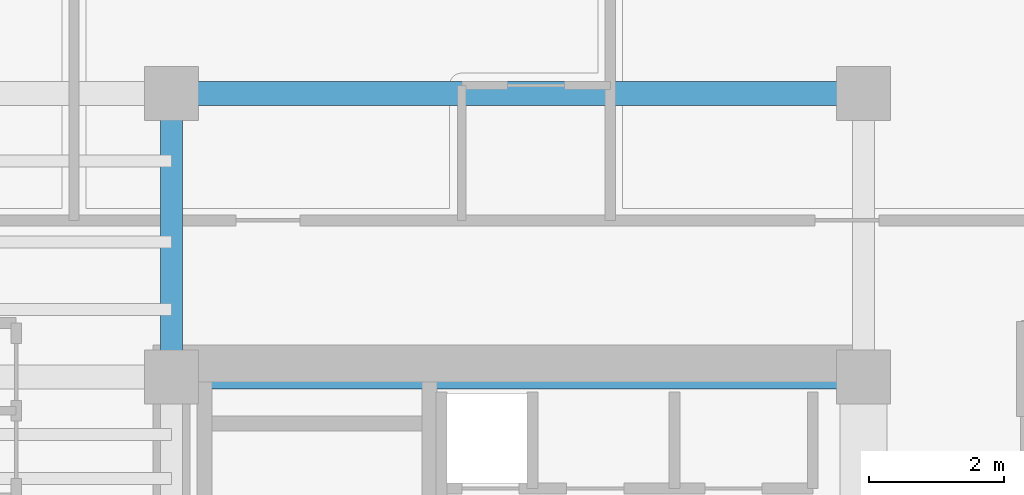
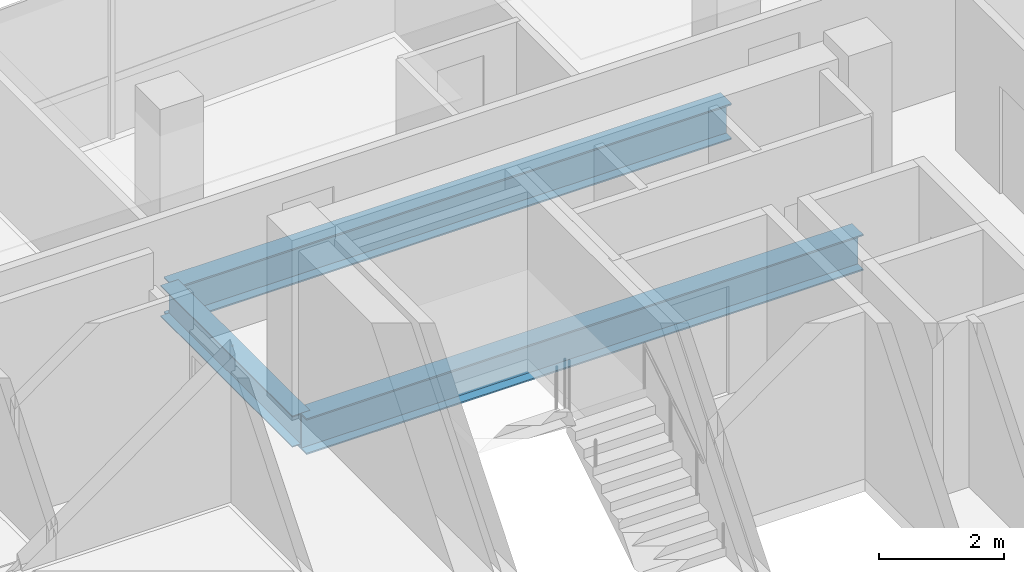
# One storey, part 9 of 21: 3 beams.
"""IFC4 building model written with IfcOpenShell, lengths in metres."""

from ifc_helpers import new_model, si_unit, direction, frame, origin, origin_2d, place, context, subcontext, project, spatial, i_section, extrude, source, transform, mapped, material, material_profile, profile_set, type_object, element, save


model = new_model("IFC4")

# Units and contexts
model_context = context("Model", 3, precision=1e-05, world=origin(), true_north=direction((0.0, 1.0)))
body_context = subcontext(model_context, "Body", "Model", "MODEL_VIEW")
ifc_project = project(units=[si_unit("LENGTHUNIT", "METRE"), si_unit("AREAUNIT", "SQUARE_METRE"), si_unit("VOLUMEUNIT", "CUBIC_METRE"), si_unit("PLANEANGLEUNIT", "RADIAN"), si_unit("MASSUNIT", "GRAM", prefix="KILO")], contexts=[model_context])

# Site, building, storey
site_placement = place(None, origin())
site = spatial("IfcSite", under=ifc_project, at=site_placement, CompositionType="ELEMENT")
building_placement = place(site_placement, origin())
building = spatial("IfcBuilding", under=site, at=building_placement, Name="Valdorenza Pilgrim Sanctuary Tower", CompositionType="ELEMENT")
storey_placement = place(building_placement, frame((0.0, 0.0, 251.0)))
storey = spatial("IfcBuildingStorey", under=building, at=storey_placement, Name="L65", CompositionType="ELEMENT", Elevation=251.0)

# Beams
ifc_material = material(Name="Steel ASTM A992 Grade 50", Category="steel")
ifc_material_profile_1 = material_profile(ifc_material, i_section(OverallWidth=0.323974609375, OverallDepth=0.611083984375, WebThickness=0.0126953125, FlangeThickness=0.01904296875, at=origin_2d()), Name="W24X104")
ifc_profile_set_1 = profile_set([ifc_material_profile_1], Name="Steel ASTM A992 Grade 50")
beam_type_1 = type_object("IfcBeamType", Name="STR-BM-GRD-W24B", PredefinedType="BEAM", material=ifc_profile_set_1)
shared_shape_1 = source(origin(), body_context, "Body", "SweptSolid", [
    extrude(i_section(OverallWidth=0.323974609375, OverallDepth=0.611083984375, WebThickness=0.0126953125, FlangeThickness=0.01904296875, at=origin_2d()), origin(), (0.0, 0.0, 1.0), 4.199951171875),
])
beam_placement = place(storey_placement, frame((-22.64990234375, 10.60009765625, -0.54541015625), z_axis=(0.0, 1.0, 0.0), x_axis=(-1.0, 0.0, 0.0)))
element("IfcBeam", 1, at=beam_placement, inside=storey, type_object=beam_type_1, Name="L65 Core Tie Girder CA-W-N1N2", PredefinedType="BEAM", context=body_context, shape_type="MappedRepresentation", body=[
    mapped(shared_shape_1, transform((0.0, 0.0, 0.0), x_axis=(1.0, 0.0, 0.0), y_axis=(0.0, 1.0, 0.0), z_axis=(0.0, 0.0, 1.0), scale=1.0)),
])
ifc_material_profile_2 = material_profile(ifc_material, i_section(OverallWidth=0.35595703125, OverallDepth=0.700927734375, WebThickness=0.016845703125, FlangeThickness=0.02734375, at=origin_2d()), Name="W27X161")
ifc_profile_set_2 = profile_set([ifc_material_profile_2], Name="Steel ASTM A992 Grade 50")
beam_type_2 = type_object("IfcBeamType", Name="STR-BM-GRD-W27", PredefinedType="BEAM", material=ifc_profile_set_2)
shared_shape_2 = source(origin(), body_context, "Body", "SweptSolid", [
    extrude(i_section(OverallWidth=0.35595703125, OverallDepth=0.700927734375, WebThickness=0.016845703125, FlangeThickness=0.02734375, at=origin_2d()), origin(), (0.0, 0.0, 1.0), 10.25),
])
for number, where, z_axis, x_axis, name in (
    (2, (-22.64990234375, 10.60009765625, -0.590576171875), (1.0, 0.0, 0.0), (0.0, 1.0, 0.0), "L65 Floor Girder CA-XC-N1"),
    (3, (-22.64990234375, 14.800048828125, -0.590576171875), (1.0, 0.0, 0.0), (0.0, 1.0, 0.0), "L65 Floor Girder CA-XC-N2"),
):
    element("IfcBeam", number, at=place(storey_placement, frame(where, z_axis=z_axis, x_axis=x_axis)), inside=storey, type_object=beam_type_2, Name=name, PredefinedType="BEAM", context=body_context, shape_type="MappedRepresentation", body=[
        mapped(shared_shape_2, transform((0.0, 0.0, 0.0), x_axis=(1.0, 0.0, 0.0), y_axis=(0.0, 1.0, 0.0), z_axis=(0.0, 0.0, 1.0), scale=1.0)),
    ])

save(model, "model.ifc")
